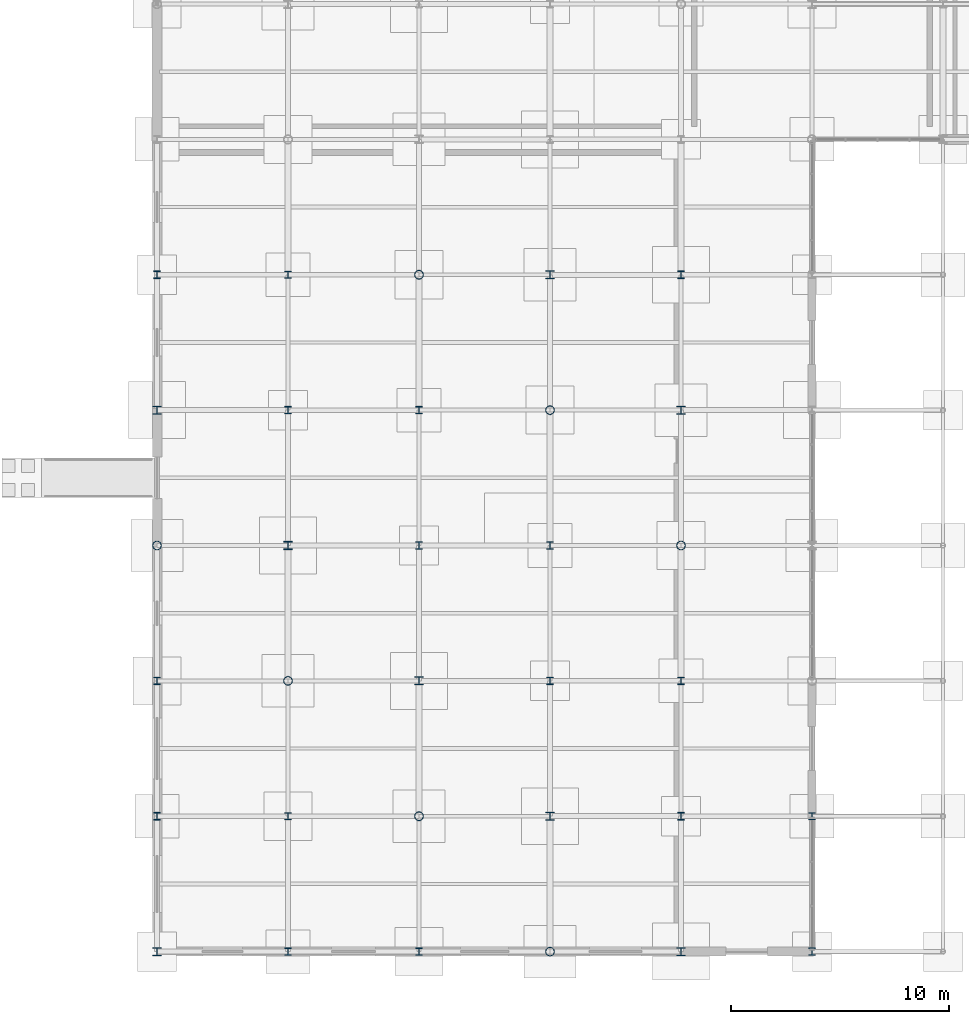
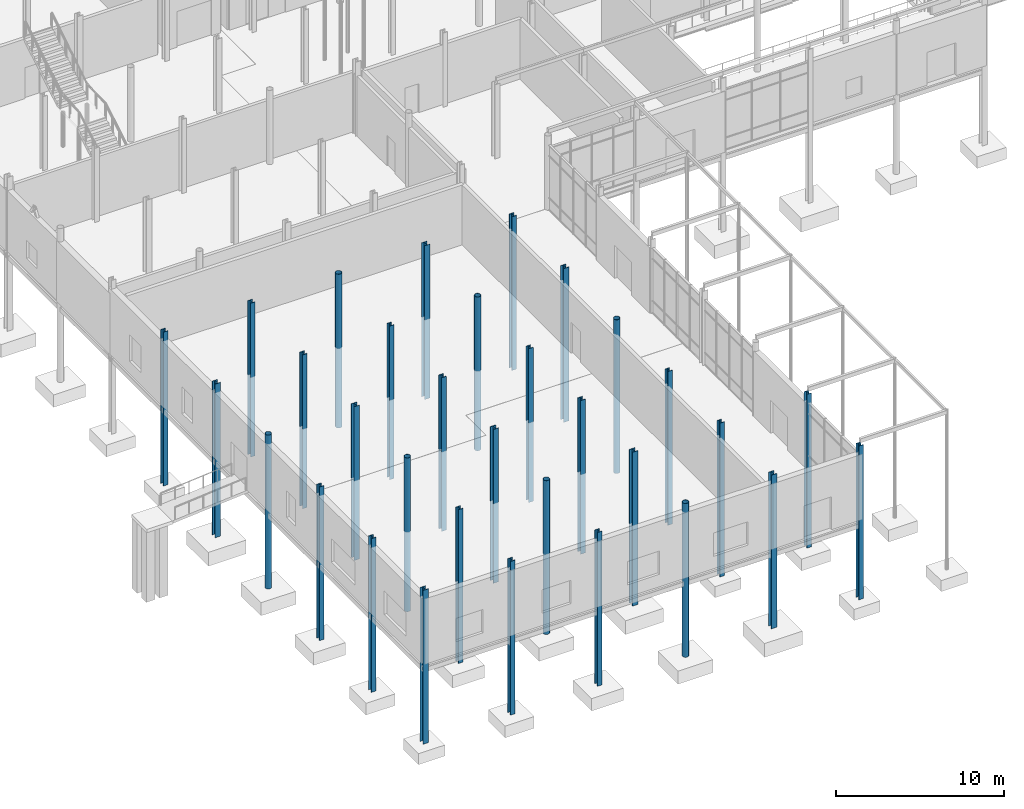
# One storey, part 2 of 98: 32 columns.
"""IFC4 building model written with IfcOpenShell, lengths in metres."""

from ifc_helpers import new_model, si_unit, direction, frame, origin, origin_2d, place, context, subcontext, project, spatial, hollow_circle, i_section, extrude, material, material_profile, profile_set, type_object, element, save


model = new_model("IFC4")

# Units and contexts
model_context = context("Model", 3, precision=1e-05, world=origin(), true_north=direction((0.0, 1.0)))
body_context = subcontext(model_context, "Body", "Model", "MODEL_VIEW")
ifc_project = project(units=[si_unit("LENGTHUNIT", "METRE"), si_unit("AREAUNIT", "SQUARE_METRE"), si_unit("VOLUMEUNIT", "CUBIC_METRE"), si_unit("PLANEANGLEUNIT", "RADIAN"), si_unit("MASSUNIT", "GRAM", prefix="KILO")], contexts=[model_context])

# Site, building, storey
site_placement = place(None, origin())
site = spatial("IfcSite", under=ifc_project, at=site_placement, CompositionType="ELEMENT")
building_placement = place(site_placement, origin())
building = spatial("IfcBuilding", under=site, at=building_placement, Name="Mirzam Square Science Centre", CompositionType="ELEMENT")
storey_placement = place(building_placement, origin())
storey = spatial("IfcBuildingStorey", under=building, at=storey_placement, Name="L00", CompositionType="ELEMENT", Elevation=0.0)

# Columns
ifc_material = material(Name="Steel S355", Category="steel")
ifc_material_profile_1 = material_profile(ifc_material, hollow_circle(Radius=0.203125, WallThickness=0.01611328125, at=origin_2d()), Name="406.4x16.0CHS")
ifc_profile_set_1 = profile_set([ifc_material_profile_1], Name="Steel S355")
column_type_1 = type_object("IfcColumnType", Name="COL-CHS406", PredefinedType="COLUMN", material=ifc_profile_set_1)
for number, where, z_axis, x_axis, name in (
    (1, (0.0, 18.60009765625, -5.800048828125), (0.0, 0.0, 1.0), (1.0, 0.0, 0.0), "L00 column G01-04"),
    (2, (6.0, 12.39990234375, -5.800048828125), (0.0, 0.0, 1.0), (1.0, 0.0, 0.0), "L00 column G02-03"),
    (3, (12.0, 6.199951171875, -5.800048828125), (0.0, 0.0, 1.0), (1.0, 0.0, 0.0), "L00 column G03-02"),
    (4, (12.0, 31.0, -5.800048828125), (0.0, 0.0, 1.0), (1.0, 0.0, 0.0), "L00 column G03-06"),
    (5, (18.0, 0.0, -5.800048828125), (0.0, 0.0, 1.0), (1.0, 0.0, 0.0), "L00 column G04-01"),
    (6, (18.0, 24.800048828125, -5.800048828125), (0.0, 0.0, 1.0), (1.0, 0.0, 0.0), "L00 column G04-05"),
    (7, (24.0, 18.60009765625, -5.800048828125), (0.0, 0.0, 1.0), (1.0, 0.0, 0.0), "L00 column G05-04"),
):
    element("IfcColumn", number, at=place(storey_placement, frame(where, z_axis=z_axis, x_axis=x_axis)), inside=storey, type_object=column_type_1, Name=name, PredefinedType="COLUMN", context=body_context, shape_type="SweptSolid", body=[
        extrude(hollow_circle(Radius=0.203125, WallThickness=0.01611328125, at=origin_2d()), origin(), (0.0, 0.0, 1.0), 11.199951171875),
    ])
ifc_material_profile_2 = material_profile(ifc_material, i_section(OverallWidth=0.314453125, OverallDepth=0.33984375, WebThickness=0.01904296875, FlangeThickness=0.031494140625, FilletRadius=0.01513671875, at=origin_2d()), Name="305x305x198UC")
ifc_profile_set_2 = profile_set([ifc_material_profile_2], Name="Steel S355")
column_type_2 = type_object("IfcColumnType", Name="COL-UC305B", PredefinedType="COLUMN", material=ifc_profile_set_2)
for number, where, z_axis, x_axis, name in (
    (8, (0.0, 12.39990234375, -5.800048828125), (0.0, 0.0, 1.0), (1.0, 0.0, 0.0), "L00 column G01-03"),
    (9, (6.0, 6.199951171875, -5.800048828125), (0.0, 0.0, 1.0), (1.0, 0.0, 0.0), "L00 column G02-02"),
    (10, (6.0, 31.0, -5.800048828125), (0.0, 0.0, 1.0), (1.0, 0.0, 0.0), "L00 column G02-06"),
    (11, (12.0, 0.0, -5.800048828125), (0.0, 0.0, 1.0), (1.0, 0.0, 0.0), "L00 column G03-01"),
    (12, (12.0, 24.800048828125, -5.800048828125), (0.0, 0.0, 1.0), (1.0, 0.0, 0.0), "L00 column G03-05"),
    (13, (18.0, 18.60009765625, -5.800048828125), (0.0, 0.0, 1.0), (1.0, 0.0, 0.0), "L00 column G04-04"),
    (14, (24.0, 12.39990234375, -5.800048828125), (0.0, 0.0, 1.0), (1.0, 0.0, 0.0), "L00 column G05-03"),
    (15, (30.0, 6.199951171875, -5.800048828125), (0.0, 0.0, 1.0), (1.0, 0.0, 0.0), "L00 column G06-02"),
):
    element("IfcColumn", number, at=place(storey_placement, frame(where, z_axis=z_axis, x_axis=x_axis)), inside=storey, type_object=column_type_2, Name=name, PredefinedType="COLUMN", context=body_context, shape_type="SweptSolid", body=[
        extrude(i_section(OverallWidth=0.314453125, OverallDepth=0.33984375, WebThickness=0.01904296875, FlangeThickness=0.031494140625, FilletRadius=0.01513671875, at=origin_2d()), origin(), (0.0, 0.0, 1.0), 11.199951171875),
    ])
ifc_material_profile_3 = material_profile(ifc_material, i_section(OverallWidth=0.318359375, OverallDepth=0.3525390625, WebThickness=0.02294921875, FlangeThickness=0.03759765625, FilletRadius=0.01513671875, at=origin_2d()), Name="305x305x240UC")
ifc_profile_set_3 = profile_set([ifc_material_profile_3], Name="Steel S355")
column_type_3 = type_object("IfcColumnType", Name="COL-UC305C", PredefinedType="COLUMN", material=ifc_profile_set_3)
for number, where, z_axis, x_axis, name in (
    (16, (0.0, 6.199951171875, -5.800048828125), (0.0, 0.0, 1.0), (1.0, 0.0, 0.0), "L00 column G01-02"),
    (17, (0.0, 31.0, -5.800048828125), (0.0, 0.0, 1.0), (1.0, 0.0, 0.0), "L00 column G01-06"),
    (18, (6.0, 0.0, -5.800048828125), (0.0, 0.0, 1.0), (1.0, 0.0, 0.0), "L00 column G02-01"),
    (19, (6.0, 24.800048828125, -5.800048828125), (0.0, 0.0, 1.0), (1.0, 0.0, 0.0), "L00 column G02-05"),
    (20, (12.0, 18.60009765625, -5.800048828125), (0.0, 0.0, 1.0), (1.0, 0.0, 0.0), "L00 column G03-04"),
    (21, (18.0, 12.39990234375, -5.800048828125), (0.0, 0.0, 1.0), (1.0, 0.0, 0.0), "L00 column G04-03"),
    (22, (24.0, 6.199951171875, -5.800048828125), (0.0, 0.0, 1.0), (1.0, 0.0, 0.0), "L00 column G05-02"),
    (23, (24.0, 31.0, -5.800048828125), (0.0, 0.0, 1.0), (1.0, 0.0, 0.0), "L00 column G05-06"),
    (24, (30.0, 0.0, -5.800048828125), (0.0, 0.0, 1.0), (1.0, 0.0, 0.0), "L00 column G06-01"),
):
    element("IfcColumn", number, at=place(storey_placement, frame(where, z_axis=z_axis, x_axis=x_axis)), inside=storey, type_object=column_type_3, Name=name, PredefinedType="COLUMN", context=body_context, shape_type="SweptSolid", body=[
        extrude(i_section(OverallWidth=0.318359375, OverallDepth=0.3525390625, WebThickness=0.02294921875, FlangeThickness=0.03759765625, FilletRadius=0.01513671875, at=origin_2d()), origin(), (0.0, 0.0, 1.0), 11.199951171875),
    ])
ifc_material_profile_4 = material_profile(ifc_material, i_section(OverallWidth=0.374755859375, OverallDepth=0.37451171875, WebThickness=0.0166015625, FlangeThickness=0.027099609375, FilletRadius=0.01513671875, at=origin_2d()), Name="356x368x202UC")
ifc_profile_set_4 = profile_set([ifc_material_profile_4], Name="Steel S355")
column_type_4 = type_object("IfcColumnType", Name="COL-UC356A", PredefinedType="COLUMN", material=ifc_profile_set_4)
for number, where, z_axis, x_axis, name in (
    (25, (0.0, 0.0, -5.800048828125), (0.0, 0.0, 1.0), (1.0, 0.0, 0.0), "L00 column G01-01"),
    (26, (0.0, 24.800048828125, -5.800048828125), (0.0, 0.0, 1.0), (1.0, 0.0, 0.0), "L00 column G01-05"),
    (27, (6.0, 18.60009765625, -5.800048828125), (0.0, 0.0, 1.0), (1.0, 0.0, 0.0), "L00 column G02-04"),
    (28, (12.0, 12.39990234375, -5.800048828125), (0.0, 0.0, 1.0), (1.0, 0.0, 0.0), "L00 column G03-03"),
    (29, (18.0, 6.199951171875, -5.800048828125), (0.0, 0.0, 1.0), (1.0, 0.0, 0.0), "L00 column G04-02"),
    (30, (18.0, 31.0, -5.800048828125), (0.0, 0.0, 1.0), (1.0, 0.0, 0.0), "L00 column G04-06"),
    (31, (24.0, 0.0, -5.800048828125), (0.0, 0.0, 1.0), (1.0, 0.0, 0.0), "L00 column G05-01"),
    (32, (24.0, 24.800048828125, -5.800048828125), (0.0, 0.0, 1.0), (1.0, 0.0, 0.0), "L00 column G05-05"),
):
    element("IfcColumn", number, at=place(storey_placement, frame(where, z_axis=z_axis, x_axis=x_axis)), inside=storey, type_object=column_type_4, Name=name, PredefinedType="COLUMN", context=body_context, shape_type="SweptSolid", body=[
        extrude(i_section(OverallWidth=0.374755859375, OverallDepth=0.37451171875, WebThickness=0.0166015625, FlangeThickness=0.027099609375, FilletRadius=0.01513671875, at=origin_2d()), origin(), (0.0, 0.0, 1.0), 11.199951171875),
    ])

save(model, "model.ifc")
